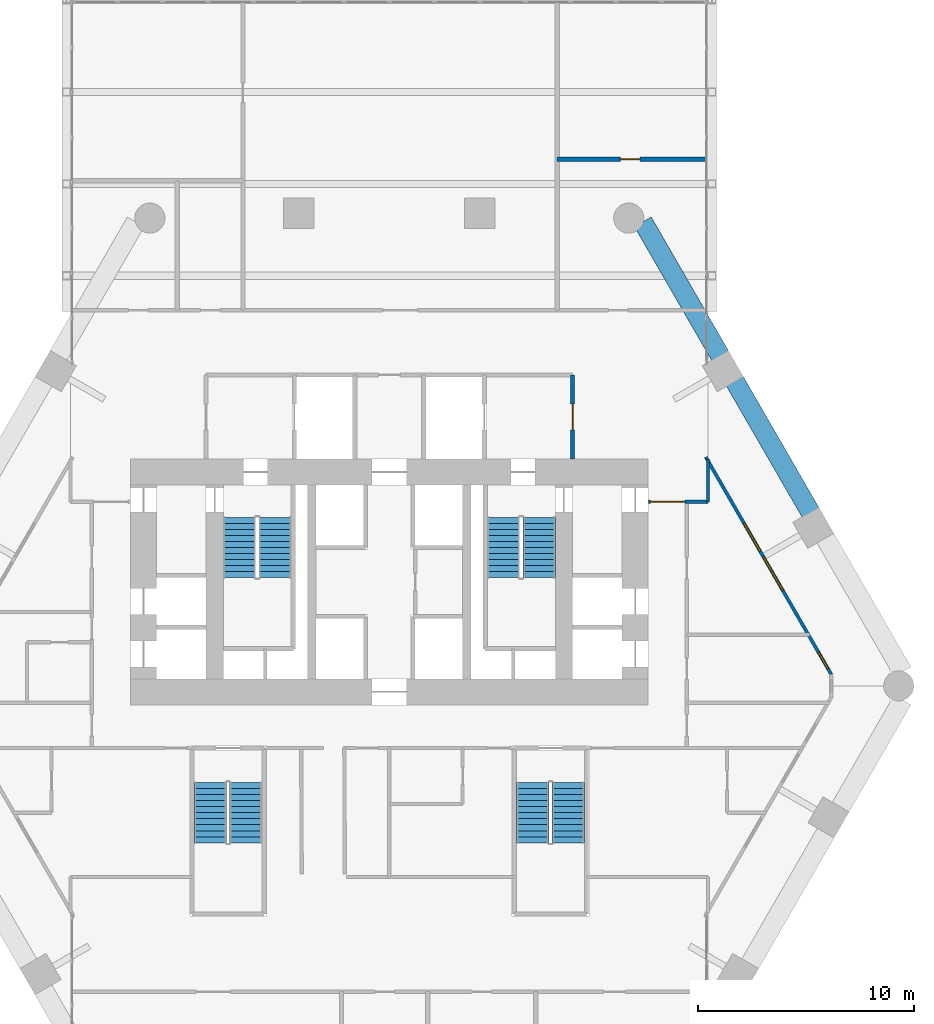
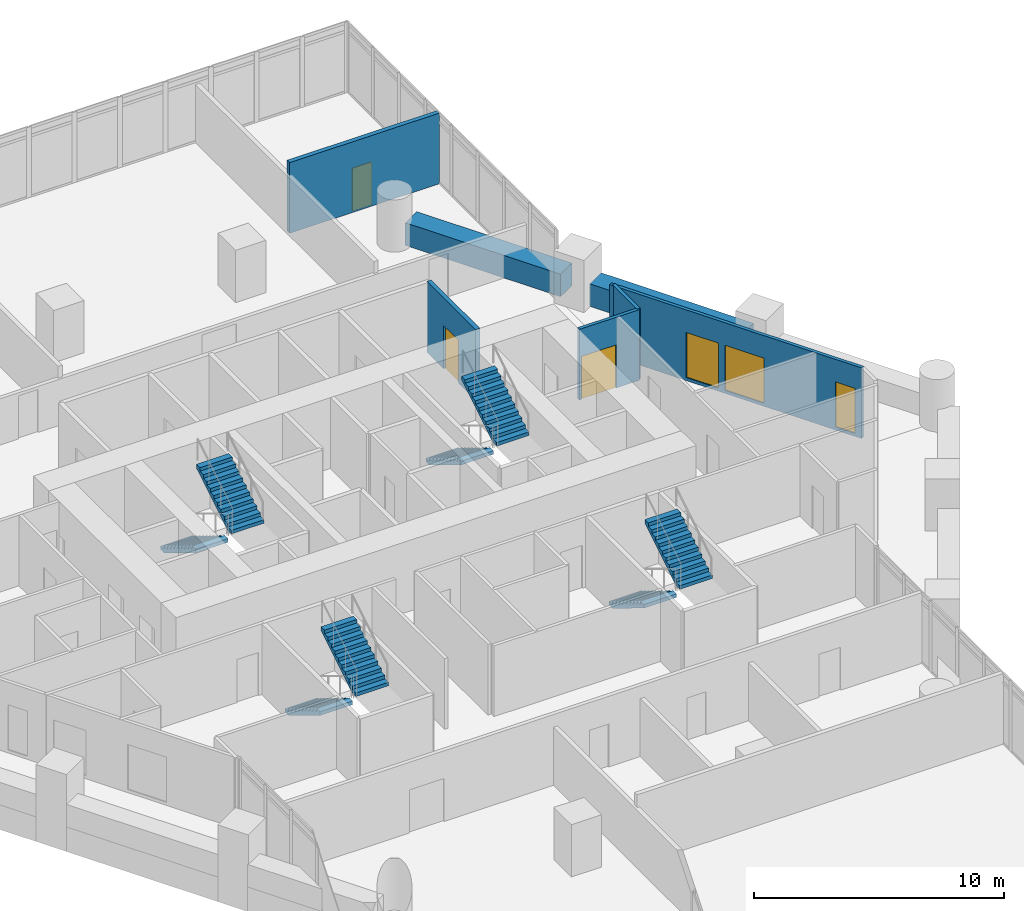
# One storey, part 34 of 38: 8 stair flights, 7 walls, 3 doors, 3 windows, 6 openings, 4 elements without a shape of their own.
"""IFC4 building model written with IfcOpenShell, lengths in metres."""

import ifcopenshell
import ifcopenshell.guid

model = None  # the IFC model being written
_history = None  # IfcOwnerHistory: only IFC2X3 demands one
_inside = {}  # id of a spatial element -> (the spatial element, [elements in it])
_under = {}  # id of a project, library or spatial element -> (it, [spatial elements below it])
_declared = {}  # id of a project -> (the project, [libraries it declares])
_typed = {}  # id of a type object -> (the type object, [elements of that type])
_made_of = {}  # id of a material, layer set ... -> (it, [elements and type objects made of it])


def new_model(schema):
    """Start an empty IFC model of exactly this schema.

    Asked for "IFC4X3", IfcOpenShell would pick the latest addendum, in which some entities
    have other attributes; the version numbers below select the first issue.
    IFC2X3 requires an IfcOwnerHistory on every rooted entity: one is made here for all.
    """
    global model, _history
    if schema == "IFC4X3":
        model = ifcopenshell.file(schema_version=(4, 3, 0, 0))
    else:
        model = ifcopenshell.file(schema=schema)
    _inside.clear()
    _under.clear()
    _declared.clear()
    _typed.clear()
    _made_of.clear()
    _history = None
    if model.schema == "IFC2X3":
        org = make("IfcOrganization", Name="unknown")
        user = make(
            "IfcPersonAndOrganization",
            ThePerson=make("IfcPerson", FamilyName="unknown"),
            TheOrganization=org,
        )
        app = make(
            "IfcApplication",
            ApplicationDeveloper=org,
            Version="unknown",
            ApplicationFullName="unknown",
            ApplicationIdentifier="unknown",
        )
        _history = make(
            "IfcOwnerHistory",
            OwningUser=user,
            OwningApplication=app,
            ChangeAction="ADDED",
            CreationDate=0,
        )
    return model


def make(cls, **values):
    """One entity of the class cls with the attributes given. An attribute that is None is left unset."""
    return model.create_entity(
        cls, **{name: value for name, value in values.items() if value is not None}
    )


def rooted(cls, **values):
    """An entity with a GlobalId (a new one), such as an element, a storey or a relation."""
    return make(cls, GlobalId=ifcopenshell.guid.new(), OwnerHistory=_history, **values)


def si_unit(unit_type, name, prefix=None):
    """IfcSIUnit, for example si_unit("LENGTHUNIT", "METRE", prefix="MILLI")."""
    return make("IfcSIUnit", UnitType=unit_type, Prefix=prefix, Name=name)


def assignment(units):
    """IfcUnitAssignment: the units of a project."""
    return None if units is None else make("IfcUnitAssignment", Units=units)


def point(xyz):
    """IfcCartesianPoint."""
    return None if xyz is None else make("IfcCartesianPoint", Coordinates=xyz)


def direction(xyz):
    """IfcDirection."""
    return None if xyz is None else make("IfcDirection", DirectionRatios=xyz)


def frame(location, z_axis=None, x_axis=None):
    """IfcAxis2Placement3D, a coordinate frame: its origin and axes. An axis left out is left unset."""
    return make(
        "IfcAxis2Placement3D",
        Location=point(location),
        Axis=direction(z_axis),
        RefDirection=direction(x_axis),
    )


def frame_2d(location, x_axis=None):
    """IfcAxis2Placement2D, a coordinate frame in the plane: its origin and x axis."""
    return make(
        "IfcAxis2Placement2D", Location=point(location), RefDirection=direction(x_axis)
    )


def origin():
    """The frame at (0, 0, 0) with its axes left unset."""
    return frame((0.0, 0.0, 0.0))


def place(relative_to, where):
    """IfcLocalPlacement: puts the frame where relative to a parent placement (None: the world)."""
    return make(
        "IfcLocalPlacement", PlacementRelTo=relative_to, RelativePlacement=where
    )


def context(
    kind, dimensions, precision=None, world=None, true_north=None, identifier=None
):
    """IfcGeometricRepresentationContext, for example the 3D "Model" context."""
    return make(
        "IfcGeometricRepresentationContext",
        ContextIdentifier=identifier,
        ContextType=kind,
        CoordinateSpaceDimension=dimensions,
        Precision=precision,
        WorldCoordinateSystem=world,
        TrueNorth=true_north,
    )


def subcontext(parent, identifier, kind, view, scale=None):
    """IfcGeometricRepresentationSubContext, for example "Body" below "Model"."""
    return make(
        "IfcGeometricRepresentationSubContext",
        ContextIdentifier=identifier,
        ContextType=kind,
        ParentContext=parent,
        TargetScale=scale,
        TargetView=view,
    )


def project(units=None, contexts=None):
    """IfcProject with its units and contexts."""
    return rooted(
        "IfcProject",
        Name="project",
        RepresentationContexts=contexts,
        UnitsInContext=assignment(units),
    )


def spatial(cls, under=None, at=None, **own):
    """A site, building, storey or space (cls), placed at a placement, below another one or the project."""
    s = rooted(cls, ObjectPlacement=at, **own)
    if under is not None:
        _under.setdefault(under.id(), (under, []))[1].append(s)
    return s


def polyline(points):
    """IfcPolyline through the points."""
    return make("IfcPolyline", Points=[point(p) for p in points])


def profile(cls, at=None, kind="AREA", **sizes):
    """A parametric profile (cls). Its sizes go by their IFC names, for example OverallWidth=200.0."""
    return make(cls, ProfileType=kind, Position=at, **sizes)


def rectangle(**sizes):
    """IfcRectangleProfileDef."""
    return profile("IfcRectangleProfileDef", **sizes)


def outline(outer, holes=None, kind="AREA"):
    """IfcArbitraryClosedProfileDef: a profile drawn as a closed curve; with holes, ...WithVoids."""
    if holes is None:
        return make("IfcArbitraryClosedProfileDef", ProfileType=kind, OuterCurve=outer)
    return make(
        "IfcArbitraryProfileDefWithVoids",
        ProfileType=kind,
        OuterCurve=outer,
        InnerCurves=holes,
    )


def extrude(swept, where, along, depth):
    """IfcExtrudedAreaSolid: the profile swept, set in the frame where, extruded along a direction by depth."""
    return make(
        "IfcExtrudedAreaSolid",
        SweptArea=swept,
        Position=where,
        ExtrudedDirection=direction(along),
        Depth=depth,
    )


def shape(context_of_items, identifier, shape_type, items):
    """IfcShapeRepresentation: the items that make up one representation, for example the "Body"."""
    return make(
        "IfcShapeRepresentation",
        ContextOfItems=context_of_items,
        RepresentationIdentifier=identifier,
        RepresentationType=shape_type,
        Items=items,
    )


def material(Name=None, Category=None):
    """IfcMaterial."""
    return make("IfcMaterial", Name=Name, Category=Category)


def layer(
    of_material, thickness, ventilated=None, Name=None, Category=None, Priority=None
):
    """IfcMaterialLayer: one layer of a wall or slab, of a material (None: an air gap)."""
    return make(
        "IfcMaterialLayer",
        Material=of_material,
        LayerThickness=thickness,
        IsVentilated=ventilated,
        Name=Name,
        Category=Category,
        Priority=Priority,
    )


def layer_set(layers, Name=None):
    """IfcMaterialLayerSet."""
    return make("IfcMaterialLayerSet", MaterialLayers=layers, LayerSetName=Name)


def made_of(thing, what):
    """Note that an element or type object is made of a material, layer set ...; save() writes the relation."""
    if what is not None:
        _made_of.setdefault(what.id(), (what, []))[1].append(thing)
    return thing


def type_object(cls, material=None, **own):
    """A type object (cls), such as IfcWallType, which elements share."""
    return made_of(rooted(cls, **own), material)


def element(
    cls,
    number,
    at=None,
    inside=None,
    cuts=None,
    type_object=None,
    material=None,
    context=None,
    identifier="Body",
    shape_type=None,
    held_by="IfcProductDefinitionShape",
    body=None,
    shapes=None,
    **own,
):
    """One element of the class cls, such as IfcWall. Its Tag is "e" and its number.

    at: its placement. inside: the storey or other place that contains it. cuts: it is an
    opening in that element (IfcRelVoidsElement). A single representation is given by context,
    identifier, shape_type and body (its items); several are given by shapes. held_by: the class
    of the entity that holds the representations. save() writes the other relations.
    """
    e = rooted(cls, Tag="e%d" % number, ObjectPlacement=at, **own)
    if body is not None:
        shapes = [shape(context, identifier, shape_type, body)]
    if shapes is not None:
        e.Representation = make(held_by, Representations=shapes)
    if inside is not None:
        _inside.setdefault(inside.id(), (inside, []))[1].append(e)
    if cuts is not None:
        rooted(
            "IfcRelVoidsElement", RelatingBuildingElement=cuts, RelatedOpeningElement=e
        )
    if type_object is not None:
        _typed.setdefault(type_object.id(), (type_object, []))[1].append(e)
    return made_of(e, material)


def fill(opening, filler):
    """IfcRelFillsElement: the door or window that sits in an opening."""
    return rooted(
        "IfcRelFillsElement",
        RelatingOpeningElement=opening,
        RelatedBuildingElement=filler,
    )


def aggregate(whole, parts):
    """IfcRelAggregates: a whole, such as a stair, and the parts it consists of."""
    return rooted("IfcRelAggregates", RelatingObject=whole, RelatedObjects=parts)


def save(model, path):
    """Write the relations noted so far, then the file.

    IfcRelAggregates (storeys below a building ...), IfcRelContainedInSpatialStructure (elements
    in a storey), IfcRelDefinesByType, IfcRelAssociatesMaterial and IfcRelDeclares: one each for
    every whole, place, type object, material and project.
    """
    for whole, parts in _under.values():
        aggregate(whole, parts)
    for where, things in _inside.values():
        rooted(
            "IfcRelContainedInSpatialStructure",
            RelatedElements=things,
            RelatingStructure=where,
        )
    for kind, things in _typed.values():
        rooted("IfcRelDefinesByType", RelatedObjects=things, RelatingType=kind)
    for what, things in _made_of.values():
        rooted("IfcRelAssociatesMaterial", RelatedObjects=things, RelatingMaterial=what)
    for by, libraries in _declared.values():
        rooted("IfcRelDeclares", RelatingContext=by, RelatedDefinitions=libraries)
    model.write(path)


model = new_model("IFC4")

# Units and contexts
model_context = context("Model", 3, precision=1e-05, world=origin(), true_north=direction((0.0, 1.0)))
body_context = subcontext(model_context, "Body", "Model", "MODEL_VIEW")
ifc_project = project(units=[si_unit("LENGTHUNIT", "METRE"), si_unit("AREAUNIT", "SQUARE_METRE"), si_unit("VOLUMEUNIT", "CUBIC_METRE"), si_unit("PLANEANGLEUNIT", "RADIAN"), si_unit("MASSUNIT", "GRAM", prefix="KILO")], contexts=[model_context])

# Site, building, storey
site_placement = place(None, origin())
site = spatial("IfcSite", under=ifc_project, at=site_placement, CompositionType="ELEMENT")
building_placement = place(site_placement, origin())
building = spatial("IfcBuilding", under=site, at=building_placement, Name="Ostrander Bayou Hotel Tower", CompositionType="ELEMENT")
storey_placement = place(building_placement, frame((0.0, 0.0, 65.5)))
storey = spatial("IfcBuildingStorey", under=building, at=storey_placement, Name="L16", CompositionType="ELEMENT", Elevation=65.5)

# Wall, openings, windows
ifc_material_1 = material(Name="Aluminium framed insulated wall", Category="aluminium")
ifc_layer_1 = layer(ifc_material_1, 0.14990234375)
ifc_layer_set_1 = layer_set([ifc_layer_1], Name="GW1 glass-line wall 150 mm")
wall_type_1 = type_object("IfcWallType", Name="GW1 glass-line wall 150 mm", PredefinedType="SOLIDWALL", material=ifc_layer_set_1)
wall_1_placement = place(storey_placement, frame((20.49560546875, -0.285888671875, 0.0), z_axis=(0.0, 0.0, 1.0), x_axis=(-0.500001004067, 0.866024824085, 0.0)))
wall_1 = element("IfcWall", 1, at=wall_1_placement, inside=storey, type_object=wall_type_1, Name="GW1 L16 NE 1", PredefinedType="SOLIDWALL", context=body_context, shape_type="SweptSolid", body=[
    extrude(rectangle(XDim=11.63330078125, YDim=0.14990234375, at=frame_2d((5.816650390625, 0.0))), origin(), (0.0, 0.0, 1.0), 3.449951171875),
])
opening_1_placement = place(wall_1_placement, frame((0.295166015625, 0.0, 0.14990234375)))
opening_1 = element("IfcOpeningElement", 2, at=opening_1_placement, cuts=wall_1, Name="Opening W15", PredefinedType="OPENING", context=body_context, shape_type="SweptSolid", body=[
    extrude(rectangle(XDim=0.89990234375, YDim=2.199951171875, at=frame_2d((0.449951171875, 1.10009765625))), frame((0.0, 0.074951171875, 0.0), z_axis=(0.0, -1.0, 0.0), x_axis=(1.0, 0.0, 0.0)), (0.0, 0.0, 1.0), 0.14990234375),
])
opening_2_placement = place(wall_1_placement, frame((4.4951171875, 0.0, 0.14990234375)))
opening_2 = element("IfcOpeningElement", 3, at=opening_2_placement, cuts=wall_1, Name="Opening W7", PredefinedType="OPENING", context=body_context, shape_type="SweptSolid", body=[
    extrude(rectangle(XDim=1.800048828125, YDim=2.199951171875, at=frame_2d((0.89990234375, 1.10009765625))), frame((0.0, 0.074951171875, 0.0), z_axis=(0.0, -1.0, 0.0), x_axis=(1.0, 0.0, 0.0)), (0.0, 0.0, 1.0), 0.14990234375),
])
opening_3_placement = place(wall_1_placement, frame((6.59521484375, 0.0, 0.14990234375)))
opening_3 = element("IfcOpeningElement", 4, at=opening_3_placement, cuts=wall_1, Name="Opening W11", PredefinedType="OPENING", context=body_context, shape_type="SweptSolid", body=[
    extrude(rectangle(XDim=1.5, YDim=2.199951171875, at=frame_2d((0.75, 1.10009765625))), frame((0.0, 0.074951171875, 0.0), z_axis=(0.0, -1.0, 0.0), x_axis=(1.0, 0.0, 0.0)), (0.0, 0.0, 1.0), 0.14990234375),
])
ifc_material_2 = material(Name="Aluminium and clear glass", Category="aluminium")
window_type_1 = type_object("IfcWindowType", Name="W11 fixed window 1500 mm, bath bay, zone 1", PartitioningType="SINGLE_PANEL", PredefinedType="WINDOW", material=ifc_material_2)
window_1_placement = place(opening_3_placement, origin())
window_1 = element("IfcWindow", 5, at=window_1_placement, inside=storey, type_object=window_type_1, Name="W11 L16 NE 2", OverallHeight=2.199951171875, OverallWidth=1.5, PartitioningType="SINGLE_PANEL", PredefinedType="WINDOW", context=body_context, shape_type="SweptSolid", body=[
    extrude(rectangle(XDim=1.5, YDim=2.199951171875, at=frame_2d((0.75, 1.10009765625))), frame((0.0, 0.030029296875, 0.0), z_axis=(0.0, -1.0, 0.0), x_axis=(1.0, 0.0, 0.0)), (0.0, 0.0, 1.0), 0.06005859375),
])
fill(opening_3, window_1)
ifc_material_3 = material(Name="Aluminium and clear glass", Category="aluminium")
window_type_2 = type_object("IfcWindowType", Name="W15 window 900 mm, zone 1", PartitioningType="SINGLE_PANEL", PredefinedType="WINDOW", material=ifc_material_3)
window_2_placement = place(opening_1_placement, origin())
window_2 = element("IfcWindow", 6, at=window_2_placement, inside=storey, type_object=window_type_2, Name="W15 L16 NE 1", OverallHeight=2.199951171875, OverallWidth=0.89990234375, PartitioningType="SINGLE_PANEL", PredefinedType="WINDOW", context=body_context, shape_type="SweptSolid", body=[
    extrude(rectangle(XDim=0.89990234375, YDim=2.199951171875, at=frame_2d((0.449951171875, 1.10009765625))), frame((0.0, 0.030029296875, 0.0), z_axis=(0.0, -1.0, 0.0), x_axis=(1.0, 0.0, 0.0)), (0.0, 0.0, 1.0), 0.06005859375),
])
fill(opening_1, window_2)
ifc_material_4 = material(Name="Aluminium and clear glass", Category="aluminium")
window_type_3 = type_object("IfcWindowType", Name="W7 fixed window 1800 mm, bar storeys, zone 1", PartitioningType="SINGLE_PANEL", PredefinedType="WINDOW", material=ifc_material_4)
window_3_placement = place(opening_2_placement, origin())
window_3 = element("IfcWindow", 7, at=window_3_placement, inside=storey, type_object=window_type_3, Name="W7 L16 NE 2", OverallHeight=2.199951171875, OverallWidth=1.800048828125, PartitioningType="SINGLE_PANEL", PredefinedType="WINDOW", context=body_context, shape_type="SweptSolid", body=[
    extrude(rectangle(XDim=1.800048828125, YDim=2.199951171875, at=frame_2d((0.89990234375, 1.10009765625))), frame((0.0, 0.030029296875, 0.0), z_axis=(0.0, -1.0, 0.0), x_axis=(1.0, 0.0, 0.0)), (0.0, 0.0, 1.0), 0.06005859375),
])
fill(opening_2, window_3)

# Walls
ifc_material_5 = material(Name="Concrete f'c 40 MPa", Category="concrete")
ifc_layer_2 = layer(ifc_material_5, 0.89990234375)
ifc_layer_set_2 = layer_set([ifc_layer_2], Name="PA1 stone-faced parapet 900 mm")
wall_type_2 = type_object("IfcWallType", Name="PA1 stone-faced parapet 900 mm", PredefinedType="PARAPET", material=ifc_layer_set_2)
wall_2_placement = place(storey_placement, frame((19.543701171875, 7.212890625, 0.0), z_axis=(0.0, 0.0, 1.0), x_axis=(-0.499997206141, 0.866027016814, 0.0)))
element("IfcWall", 8, at=wall_2_placement, inside=storey, type_object=wall_type_2, Name="PA1 L16 NE-2", PredefinedType="PARAPET", context=body_context, shape_type="SweptSolid", body=[
    extrude(rectangle(XDim=7.05078125, YDim=0.89990234375, at=frame_2d((3.525390625, 0.0))), origin(), (0.0, 0.0, 1.0), 1.10009765625),
])
wall_3_placement = place(storey_placement, frame((15.348388671875, 14.4794921875, 0.0), z_axis=(0.0, 0.0, 1.0), x_axis=(-0.500014005679, 0.866017317451, 0.0)))
element("IfcWall", 9, at=wall_3_placement, inside=storey, type_object=wall_type_2, Name="PA1 L16 NE-3", PredefinedType="PARAPET", context=body_context, shape_type="SweptSolid", body=[
    extrude(rectangle(XDim=7.176025390625, YDim=0.89990234375, at=frame_2d((3.587890625, 0.0))), origin(), (0.0, 0.0, 1.0), 1.10009765625),
])

# Wall, opening, door
ifc_material_6 = material(Name="Gypsum board partition", Category="finish")
ifc_layer_3 = layer(ifc_material_6, 0.199951171875)
ifc_layer_set_3 = layer_set([ifc_layer_3], Name="PT3 demising wall 200 mm acoustic double stud, 1 hour")
wall_type_3 = type_object("IfcWallType", Name="PT3 demising wall 200 mm acoustic double stud, 1 hour", PredefinedType="PARTITIONING", material=ifc_layer_set_3)
wall_4_placement = place(storey_placement, frame((7.787109375, 23.60009765625, 0.0), z_axis=(0.0, 0.0, 1.0), x_axis=(1.0, 0.0, 0.0)))
wall_4 = element("IfcWall", 10, at=wall_4_placement, inside=storey, type_object=wall_type_3, Name="sw:L16:504", PredefinedType="PARTITIONING", context=body_context, shape_type="SweptSolid", body=[
    extrude(rectangle(XDim=6.906005859375, YDim=0.199951171875, at=frame_2d((3.453125, 0.0))), origin(), (0.0, 0.0, 1.0), 3.449951171875),
])
opening_4_placement = place(wall_4_placement, frame((2.93505859375, 0.0, 0.0)))
opening_4 = element("IfcOpeningElement", 11, at=opening_4_placement, cuts=wall_4, Name="Opening T16-1206", PredefinedType="OPENING", context=body_context, shape_type="SweptSolid", body=[
    extrude(rectangle(XDim=0.89990234375, YDim=2.10009765625, at=frame_2d((0.449951171875, 1.050048828125))), frame((0.0, 0.10009765625, 0.0), z_axis=(0.0, -1.0, 0.0), x_axis=(1.0, 0.0, 0.0)), (0.0, 0.0, 1.0), 0.199951171875),
])
ifc_material_7 = material(Name="Timber door leaf", Category="wood")
door_type_1 = type_object("IfcDoorType", Name="D8 room door 900 x 2100 mm", OperationType="SINGLE_SWING_LEFT", PredefinedType="DOOR", material=ifc_material_7)
door_1_placement = place(opening_4_placement, origin())
door_1 = element("IfcDoor", 12, at=door_1_placement, inside=storey, type_object=door_type_1, Name="dr:L16:1206", OperationType="SINGLE_SWING_RIGHT", OverallHeight=2.10009765625, OverallWidth=0.89990234375, PredefinedType="DOOR", context=body_context, shape_type="SweptSolid", body=[
    extrude(rectangle(XDim=0.89990234375, YDim=2.10009765625, at=frame_2d((0.449951171875, 1.050048828125))), frame((0.0, 0.02490234375, 0.0), z_axis=(0.0, -1.0, 0.0), x_axis=(1.0, 0.0, 0.0)), (0.0, 0.0, 1.0), 0.050048828125),
])
fill(opening_4, door_1)

ifc_material_8 = material(Name="Masonry block", Category="masonry")
ifc_layer_4 = layer(ifc_material_8, 0.199951171875)
ifc_layer_set_4 = layer_set([ifc_layer_4], Name="PT5 stair enclosure wall 200 mm masonry, 2 hour")
wall_type_4 = type_object("IfcWallType", Name="PT5 stair enclosure wall 200 mm masonry, 2 hour", PredefinedType="PARTITIONING", material=ifc_layer_set_4)
wall_5_placement = place(storey_placement, frame((8.5, 9.699951171875, 0.0), z_axis=(0.0, 0.0, 1.0), x_axis=(0.0, 1.0, 0.0)))
wall_5 = element("IfcWall", 13, at=wall_5_placement, inside=storey, type_object=wall_type_4, Name="cs:L16:025", PredefinedType="PARTITIONING", context=body_context, shape_type="SweptSolid", body=[
    extrude(rectangle(XDim=3.900146484375, YDim=0.199951171875, at=frame_2d((1.9501953125, 0.0))), origin(), (0.0, 0.0, 1.0), 3.449951171875),
])
opening_5_placement = place(wall_5_placement, frame((1.35009765625, 0.0, 0.0)))
opening_5 = element("IfcOpeningElement", 14, at=opening_5_placement, cuts=wall_5, Name="Opening T16-012", PredefinedType="OPENING", context=body_context, shape_type="SweptSolid", body=[
    extrude(rectangle(XDim=1.199951171875, YDim=2.10009765625, at=frame_2d((0.60009765625, 1.050048828125))), frame((0.0, 0.10009765625, 0.0), z_axis=(0.0, -1.0, 0.0), x_axis=(1.0, 0.0, 0.0)), (0.0, 0.0, 1.0), 0.199951171875),
])
ifc_material_9 = material(Name="Timber door leaf", Category="wood")
door_type_2 = type_object("IfcDoorType", Name="D7 lobby door 1200 x 2100 mm, 1 hour", OperationType="SINGLE_SWING_LEFT", PredefinedType="DOOR", material=ifc_material_9)
door_2_placement = place(opening_5_placement, origin())
door_2 = element("IfcDoor", 15, at=door_2_placement, inside=storey, type_object=door_type_2, Name="dr:L16:012", OperationType="SINGLE_SWING_LEFT", OverallHeight=2.10009765625, OverallWidth=1.199951171875, PredefinedType="DOOR", context=body_context, shape_type="SweptSolid", body=[
    extrude(rectangle(XDim=1.199951171875, YDim=2.10009765625, at=frame_2d((0.60009765625, 1.050048828125))), frame((0.0, 0.02490234375, 0.0), z_axis=(0.0, -1.0, 0.0), x_axis=(1.0, 0.0, 0.0)), (0.0, 0.0, 1.0), 0.050048828125),
])
fill(opening_5, door_2)

ifc_material_10 = material(Name="Gypsum board partition", Category="finish")
ifc_layer_5 = layer(ifc_material_10, 0.14990234375)
ifc_layer_set_5 = layer_set([ifc_layer_5], Name="PT8 service band wall 150 mm, 1 hour")
wall_type_5 = type_object("IfcWallType", Name="PT8 service band wall 150 mm, 1 hour", PredefinedType="PARTITIONING", material=ifc_layer_set_5)
wall_6_placement = place(storey_placement, frame((12.010009765625, 7.715087890625, 0.0), z_axis=(0.0, 0.0, 1.0), x_axis=(1.0, 0.0, 0.0)))
wall_6 = element("IfcWall", 16, at=wall_6_placement, inside=storey, type_object=wall_type_5, Name="gw:L16:017", PredefinedType="PARTITIONING", context=body_context, shape_type="SweptSolid", body=[
    extrude(rectangle(XDim=2.77490234375, YDim=0.14990234375, at=frame_2d((1.387451171875, 0.0))), origin(), (0.0, 0.0, 1.0), 3.449951171875),
])
opening_6_placement = place(wall_6_placement, frame((0.10009765625, 0.0, 0.0)))
opening_6 = element("IfcOpeningElement", 17, at=opening_6_placement, cuts=wall_6, Name="Opening T16-1212", PredefinedType="OPENING", context=body_context, shape_type="SweptSolid", body=[
    extrude(rectangle(XDim=1.60009765625, YDim=2.10009765625, at=frame_2d((0.800048828125, 1.050048828125))), frame((0.0, 0.074951171875, 0.0), z_axis=(0.0, -1.0, 0.0), x_axis=(1.0, 0.0, 0.0)), (0.0, 0.0, 1.0), 0.14990234375),
])
ifc_material_11 = material(Name="Timber door leaf", Category="wood")
door_type_3 = type_object("IfcDoorType", Name="D13 double door 1600 x 2100 mm, 1 hour", OperationType="SINGLE_SWING_LEFT", PredefinedType="DOOR", material=ifc_material_11)
door_3_placement = place(opening_6_placement, origin())
door_3 = element("IfcDoor", 18, at=door_3_placement, inside=storey, type_object=door_type_3, Name="dr:L16:1212", OperationType="DOUBLE_DOOR_SINGLE_SWING", OverallHeight=2.10009765625, OverallWidth=1.60009765625, PredefinedType="DOOR", context=body_context, shape_type="SweptSolid", body=[
    extrude(rectangle(XDim=1.60009765625, YDim=2.10009765625, at=frame_2d((0.800048828125, 1.050048828125))), frame((0.0, 0.02490234375, 0.0), z_axis=(0.0, -1.0, 0.0), x_axis=(1.0, 0.0, 0.0)), (0.0, 0.0, 1.0), 0.050048828125),
])
fill(opening_6, door_3)

# Wall
wall_7_placement = place(storey_placement, frame((14.784912109375, 7.715087890625, 0.0), z_axis=(0.0, 0.0, 1.0), x_axis=(0.0, 1.0, 0.0)))
element("IfcWall", 19, at=wall_7_placement, inside=storey, type_object=wall_type_5, Name="gw:L16:020", PredefinedType="PARTITIONING", context=body_context, shape_type="SweptSolid", body=[
    extrude(rectangle(XDim=1.97998046875, YDim=0.14990234375, at=frame_2d((0.989990234375, 0.0))), origin(), (0.0, 0.0, 1.0), 3.449951171875),
])

# Stair, stair flights
ifc_material_12 = material(Name="Concrete f'c 45 MPa", Category="concrete")
stair_type = type_object("IfcStairType", Name="ST1 exit stair 1500 mm f'c 45 MPa", PredefinedType="HALF_TURN_STAIR", material=ifc_material_12)
stair_1_placement = place(storey_placement, origin())
stair_1 = element("IfcStair", 20, at=stair_1_placement, inside=storey, type_object=stair_type, Name="L16 exit stair A", PredefinedType="HALF_TURN_STAIR")
ifc_material_13 = material(Name="Concrete f'c 45 MPa", Category="concrete")
stair_flight_type = type_object("IfcStairFlightType", Name="SF1 stair flight 1500 mm f'c 45 MPa", PredefinedType="STRAIGHT", material=ifc_material_13)
stair_flight_1_placement = place(storey_placement, frame((-6.949951171875, 7.0, 0.0), z_axis=(0.0, 0.0, 1.0), x_axis=(0.0, -1.0, 0.0)))
stair_flight_1 = element("IfcStairFlight", 21, at=stair_flight_1_placement, type_object=stair_flight_type, Name="STA flight 1", NumberOfRisers=11, NumberOfTreads=10, PredefinedType="STRAIGHT", RiserHeight=0.170454545, TreadLength=0.28, context=body_context, shape_type="SweptSolid", body=[
    extrude(outline(polyline([(0.0, 0.0), (0.0, 0.17041015625), (0.280029296875, 0.17041015625), (0.280029296875, 0.3408203125), (0.56005859375, 0.3408203125), (0.56005859375, 0.511474609375), (0.840087890625, 0.511474609375), (0.840087890625, 0.681884765625), (1.1201171875, 0.681884765625), (1.1201171875, 0.852294921875), (1.39990234375, 0.852294921875), (1.39990234375, 1.022705078125), (1.679931640625, 1.022705078125), (1.679931640625, 1.193115234375), (1.9599609375, 1.193115234375), (1.9599609375, 1.363525390625), (2.239990234375, 1.363525390625), (2.239990234375, 1.5341796875), (2.52001953125, 1.5341796875), (2.52001953125, 1.70458984375), (2.800048828125, 1.70458984375), (2.800048828125, 1.875), (2.800048828125, 1.529052734375), (0.288330078125, 0.0), (0.0, 0.0)])), frame((0.0, 0.75, 0.0), z_axis=(0.0, -1.0, 0.0), x_axis=(1.0, 0.0, 0.0)), (0.0, 0.0, 1.0), 1.5),
])
stair_flight_2_placement = place(storey_placement, frame((-5.300048828125, 4.199951171875, 1.875), z_axis=(0.0, 0.0, 1.0), x_axis=(0.0, 1.0, 0.0)))
stair_flight_2 = element("IfcStairFlight", 22, at=stair_flight_2_placement, type_object=stair_flight_type, Name="STA flight 2", NumberOfRisers=11, NumberOfTreads=10, PredefinedType="STRAIGHT", RiserHeight=0.170454545, TreadLength=0.28, context=body_context, shape_type="SweptSolid", body=[
    extrude(outline(polyline([(0.0, 0.0), (0.0, 0.17041015625), (0.280029296875, 0.17041015625), (0.280029296875, 0.3408203125), (0.56005859375, 0.3408203125), (0.56005859375, 0.511474609375), (0.840087890625, 0.511474609375), (0.840087890625, 0.681884765625), (1.1201171875, 0.681884765625), (1.1201171875, 0.852294921875), (1.39990234375, 0.852294921875), (1.39990234375, 1.022705078125), (1.679931640625, 1.022705078125), (1.679931640625, 1.193115234375), (1.9599609375, 1.193115234375), (1.9599609375, 1.363525390625), (2.239990234375, 1.363525390625), (2.239990234375, 1.5341796875), (2.52001953125, 1.5341796875), (2.52001953125, 1.70458984375), (2.800048828125, 1.70458984375), (2.800048828125, 1.875), (2.800048828125, 1.529052734375), (0.288330078125, 0.0), (0.0, 0.0)])), frame((0.0, 0.75, 0.0), z_axis=(0.0, -1.0, 0.0), x_axis=(1.0, 0.0, 0.0)), (0.0, 0.0, 1.0), 1.5),
])
aggregate(stair_1, [stair_flight_1, stair_flight_2])

stair_2_placement = place(storey_placement, origin())
stair_2 = element("IfcStair", 23, at=stair_2_placement, inside=storey, type_object=stair_type, Name="L16 exit stair B", PredefinedType="HALF_TURN_STAIR")
stair_flight_3_placement = place(storey_placement, frame((5.300048828125, 7.0, 0.0), z_axis=(0.0, 0.0, 1.0), x_axis=(0.0, -1.0, 0.0)))
stair_flight_3 = element("IfcStairFlight", 24, at=stair_flight_3_placement, type_object=stair_flight_type, Name="STB flight 1", NumberOfRisers=11, NumberOfTreads=10, PredefinedType="STRAIGHT", RiserHeight=0.170454545, TreadLength=0.28, context=body_context, shape_type="SweptSolid", body=[
    extrude(outline(polyline([(0.0, 0.0), (0.0, 0.17041015625), (0.280029296875, 0.17041015625), (0.280029296875, 0.3408203125), (0.56005859375, 0.3408203125), (0.56005859375, 0.511474609375), (0.840087890625, 0.511474609375), (0.840087890625, 0.681884765625), (1.1201171875, 0.681884765625), (1.1201171875, 0.852294921875), (1.39990234375, 0.852294921875), (1.39990234375, 1.022705078125), (1.679931640625, 1.022705078125), (1.679931640625, 1.193115234375), (1.9599609375, 1.193115234375), (1.9599609375, 1.363525390625), (2.239990234375, 1.363525390625), (2.239990234375, 1.5341796875), (2.52001953125, 1.5341796875), (2.52001953125, 1.70458984375), (2.800048828125, 1.70458984375), (2.800048828125, 1.875), (2.800048828125, 1.529052734375), (0.288330078125, 0.0), (0.0, 0.0)])), frame((0.0, 0.75, 0.0), z_axis=(0.0, -1.0, 0.0), x_axis=(1.0, 0.0, 0.0)), (0.0, 0.0, 1.0), 1.5),
])
stair_flight_4_placement = place(storey_placement, frame((6.949951171875, 4.199951171875, 1.875), z_axis=(0.0, 0.0, 1.0), x_axis=(0.0, 1.0, 0.0)))
stair_flight_4 = element("IfcStairFlight", 25, at=stair_flight_4_placement, type_object=stair_flight_type, Name="STB flight 2", NumberOfRisers=11, NumberOfTreads=10, PredefinedType="STRAIGHT", RiserHeight=0.170454545, TreadLength=0.28, context=body_context, shape_type="SweptSolid", body=[
    extrude(outline(polyline([(0.0, 0.0), (0.0, 0.17041015625), (0.280029296875, 0.17041015625), (0.280029296875, 0.3408203125), (0.56005859375, 0.3408203125), (0.56005859375, 0.511474609375), (0.840087890625, 0.511474609375), (0.840087890625, 0.681884765625), (1.1201171875, 0.681884765625), (1.1201171875, 0.852294921875), (1.39990234375, 0.852294921875), (1.39990234375, 1.022705078125), (1.679931640625, 1.022705078125), (1.679931640625, 1.193115234375), (1.9599609375, 1.193115234375), (1.9599609375, 1.363525390625), (2.239990234375, 1.363525390625), (2.239990234375, 1.5341796875), (2.52001953125, 1.5341796875), (2.52001953125, 1.70458984375), (2.800048828125, 1.70458984375), (2.800048828125, 1.875), (2.800048828125, 1.529052734375), (0.288330078125, 0.0), (0.0, 0.0)])), frame((0.0, 0.75, 0.0), z_axis=(0.0, -1.0, 0.0), x_axis=(1.0, 0.0, 0.0)), (0.0, 0.0, 1.0), 1.5),
])
aggregate(stair_2, [stair_flight_3, stair_flight_4])

stair_3_placement = place(storey_placement, origin())
stair_3 = element("IfcStair", 26, at=stair_3_placement, inside=storey, type_object=stair_type, Name="L16 exit stair C", PredefinedType="HALF_TURN_STAIR")
stair_flight_5_placement = place(storey_placement, frame((6.64990234375, -5.300048828125, 0.0), z_axis=(0.0, 0.0, 1.0), x_axis=(0.0, -1.0, 0.0)))
stair_flight_5 = element("IfcStairFlight", 27, at=stair_flight_5_placement, type_object=stair_flight_type, Name="STC flight 1", NumberOfRisers=11, NumberOfTreads=10, PredefinedType="STRAIGHT", RiserHeight=0.170454545, TreadLength=0.28, context=body_context, shape_type="SweptSolid", body=[
    extrude(outline(polyline([(0.0, 0.0), (0.0, 0.17041015625), (0.280029296875, 0.17041015625), (0.280029296875, 0.3408203125), (0.56005859375, 0.3408203125), (0.56005859375, 0.511474609375), (0.840087890625, 0.511474609375), (0.840087890625, 0.681884765625), (1.1201171875, 0.681884765625), (1.1201171875, 0.852294921875), (1.39990234375, 0.852294921875), (1.39990234375, 1.022705078125), (1.679931640625, 1.022705078125), (1.679931640625, 1.193115234375), (1.9599609375, 1.193115234375), (1.9599609375, 1.363525390625), (2.239990234375, 1.363525390625), (2.239990234375, 1.5341796875), (2.52001953125, 1.5341796875), (2.52001953125, 1.70458984375), (2.800048828125, 1.70458984375), (2.800048828125, 1.875), (2.800048828125, 1.529052734375), (0.288330078125, 0.0), (0.0, 0.0)])), frame((0.0, 0.75, 0.0), z_axis=(0.0, -1.0, 0.0), x_axis=(1.0, 0.0, 0.0)), (0.0, 0.0, 1.0), 1.5),
])
stair_flight_6_placement = place(storey_placement, frame((8.300048828125, -8.10009765625, 1.875), z_axis=(0.0, 0.0, 1.0), x_axis=(0.0, 1.0, 0.0)))
stair_flight_6 = element("IfcStairFlight", 28, at=stair_flight_6_placement, type_object=stair_flight_type, Name="STC flight 2", NumberOfRisers=11, NumberOfTreads=10, PredefinedType="STRAIGHT", RiserHeight=0.170454545, TreadLength=0.28, context=body_context, shape_type="SweptSolid", body=[
    extrude(outline(polyline([(0.0, 0.0), (0.0, 0.17041015625), (0.280029296875, 0.17041015625), (0.280029296875, 0.3408203125), (0.56005859375, 0.3408203125), (0.56005859375, 0.511474609375), (0.840087890625, 0.511474609375), (0.840087890625, 0.681884765625), (1.1201171875, 0.681884765625), (1.1201171875, 0.852294921875), (1.39990234375, 0.852294921875), (1.39990234375, 1.022705078125), (1.679931640625, 1.022705078125), (1.679931640625, 1.193115234375), (1.9599609375, 1.193115234375), (1.9599609375, 1.363525390625), (2.239990234375, 1.363525390625), (2.239990234375, 1.5341796875), (2.52001953125, 1.5341796875), (2.52001953125, 1.70458984375), (2.800048828125, 1.70458984375), (2.800048828125, 1.875), (2.800048828125, 1.529052734375), (0.288330078125, 0.0), (0.0, 0.0)])), frame((0.0, 0.75, 0.0), z_axis=(0.0, -1.0, 0.0), x_axis=(1.0, 0.0, 0.0)), (0.0, 0.0, 1.0), 1.5),
])
aggregate(stair_3, [stair_flight_5, stair_flight_6])

stair_4_placement = place(storey_placement, origin())
stair_4 = element("IfcStair", 29, at=stair_4_placement, inside=storey, type_object=stair_type, Name="L16 exit stair D", PredefinedType="HALF_TURN_STAIR")
stair_flight_7_placement = place(storey_placement, frame((-8.300048828125, -5.300048828125, 0.0), z_axis=(0.0, 0.0, 1.0), x_axis=(0.0, -1.0, 0.0)))
stair_flight_7 = element("IfcStairFlight", 30, at=stair_flight_7_placement, type_object=stair_flight_type, Name="STD flight 1", NumberOfRisers=11, NumberOfTreads=10, PredefinedType="STRAIGHT", RiserHeight=0.170454545, TreadLength=0.28, context=body_context, shape_type="SweptSolid", body=[
    extrude(outline(polyline([(0.0, 0.0), (0.0, 0.17041015625), (0.280029296875, 0.17041015625), (0.280029296875, 0.3408203125), (0.56005859375, 0.3408203125), (0.56005859375, 0.511474609375), (0.840087890625, 0.511474609375), (0.840087890625, 0.681884765625), (1.1201171875, 0.681884765625), (1.1201171875, 0.852294921875), (1.39990234375, 0.852294921875), (1.39990234375, 1.022705078125), (1.679931640625, 1.022705078125), (1.679931640625, 1.193115234375), (1.9599609375, 1.193115234375), (1.9599609375, 1.363525390625), (2.239990234375, 1.363525390625), (2.239990234375, 1.5341796875), (2.52001953125, 1.5341796875), (2.52001953125, 1.70458984375), (2.800048828125, 1.70458984375), (2.800048828125, 1.875), (2.800048828125, 1.529052734375), (0.288330078125, 0.0), (0.0, 0.0)])), frame((0.0, 0.75, 0.0), z_axis=(0.0, -1.0, 0.0), x_axis=(1.0, 0.0, 0.0)), (0.0, 0.0, 1.0), 1.5),
])
stair_flight_8_placement = place(storey_placement, frame((-6.64990234375, -8.10009765625, 1.875), z_axis=(0.0, 0.0, 1.0), x_axis=(0.0, 1.0, 0.0)))
stair_flight_8 = element("IfcStairFlight", 31, at=stair_flight_8_placement, type_object=stair_flight_type, Name="STD flight 2", NumberOfRisers=11, NumberOfTreads=10, PredefinedType="STRAIGHT", RiserHeight=0.170454545, TreadLength=0.28, context=body_context, shape_type="SweptSolid", body=[
    extrude(outline(polyline([(0.0, 0.0), (0.0, 0.17041015625), (0.280029296875, 0.17041015625), (0.280029296875, 0.3408203125), (0.56005859375, 0.3408203125), (0.56005859375, 0.511474609375), (0.840087890625, 0.511474609375), (0.840087890625, 0.681884765625), (1.1201171875, 0.681884765625), (1.1201171875, 0.852294921875), (1.39990234375, 0.852294921875), (1.39990234375, 1.022705078125), (1.679931640625, 1.022705078125), (1.679931640625, 1.193115234375), (1.9599609375, 1.193115234375), (1.9599609375, 1.363525390625), (2.239990234375, 1.363525390625), (2.239990234375, 1.5341796875), (2.52001953125, 1.5341796875), (2.52001953125, 1.70458984375), (2.800048828125, 1.70458984375), (2.800048828125, 1.875), (2.800048828125, 1.529052734375), (0.288330078125, 0.0), (0.0, 0.0)])), frame((0.0, 0.75, 0.0), z_axis=(0.0, -1.0, 0.0), x_axis=(1.0, 0.0, 0.0)), (0.0, 0.0, 1.0), 1.5),
])
aggregate(stair_4, [stair_flight_7, stair_flight_8])

save(model, "model.ifc")
